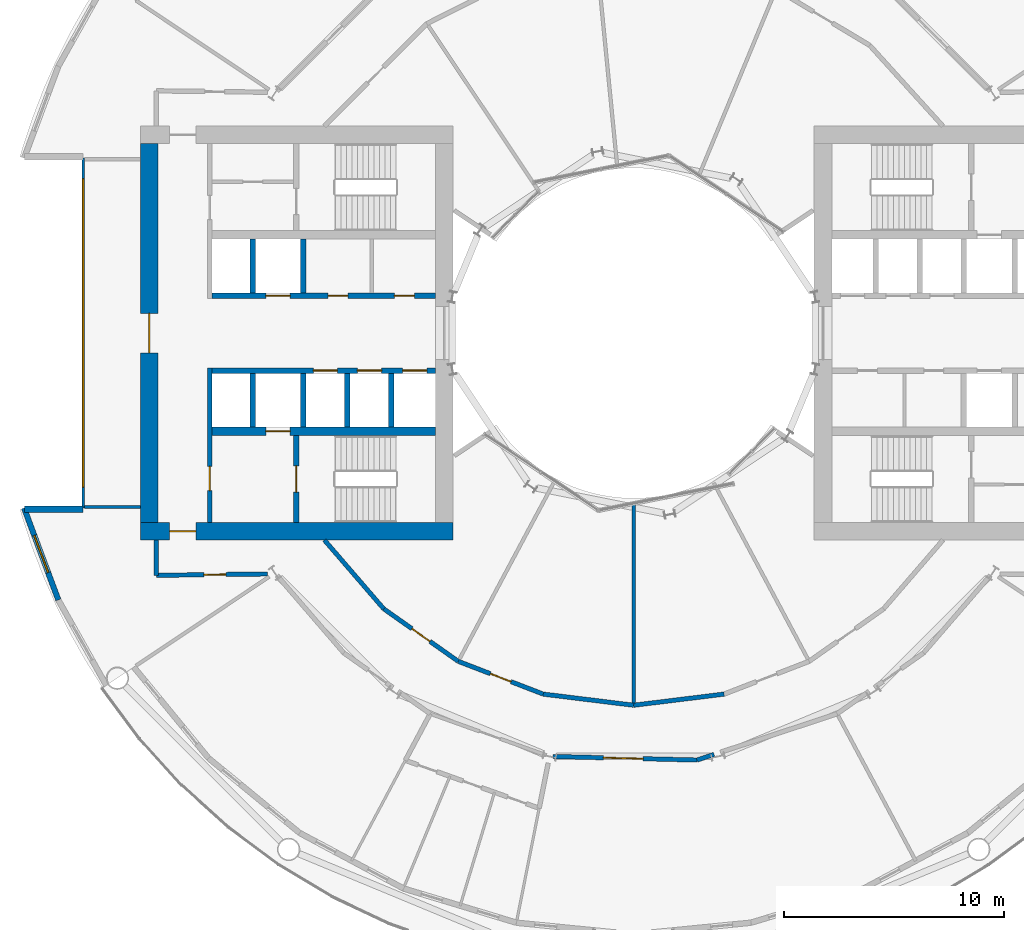
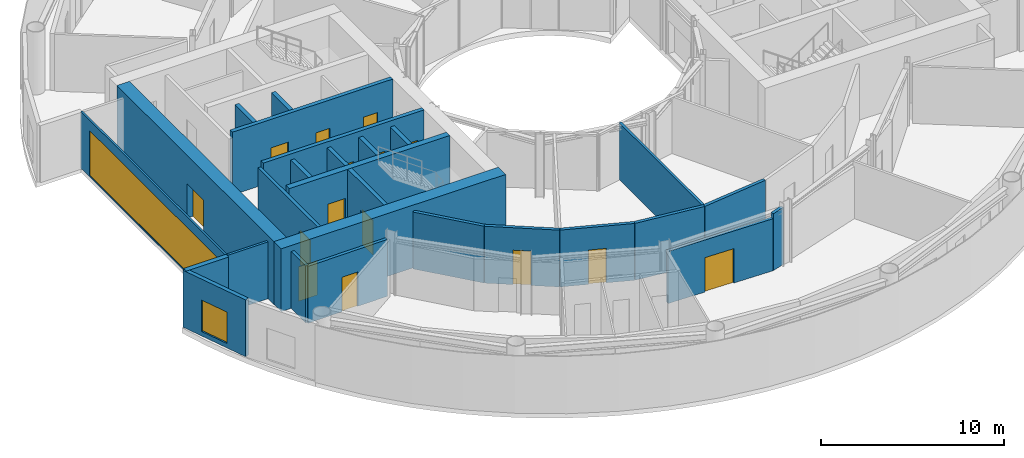
# One storey, part 11 of 19: 27 walls, 15 doors, 2 windows, 17 openings.
"""IFC4 building model written with IfcOpenShell, lengths in metres."""

from ifc_helpers import new_model, si_unit, direction, frame, frame_2d, origin, place, context, subcontext, project, spatial, rectangle, extrude, material, layer, layer_set, type_object, element, fill, save


model = new_model("IFC4")

# Units and contexts
model_context = context("Model", 3, precision=1e-05, world=origin(), true_north=direction((0.0, 1.0)))
body_context = subcontext(model_context, "Body", "Model", "MODEL_VIEW")
ifc_project = project(units=[si_unit("LENGTHUNIT", "METRE"), si_unit("AREAUNIT", "SQUARE_METRE"), si_unit("VOLUMEUNIT", "CUBIC_METRE"), si_unit("PLANEANGLEUNIT", "RADIAN"), si_unit("MASSUNIT", "GRAM", prefix="KILO")], contexts=[model_context])

# Site, building, storey
site_placement = place(None, origin())
site = spatial("IfcSite", under=ifc_project, at=site_placement, CompositionType="ELEMENT")
building_placement = place(site_placement, origin())
building = spatial("IfcBuilding", under=site, at=building_placement, Name="Maasbend Ring Residences", CompositionType="ELEMENT")
storey_placement = place(building_placement, frame((0.0, 0.0, 53.300048828125)))
storey = spatial("IfcBuildingStorey", under=building, at=storey_placement, Name="L15", CompositionType="ELEMENT", Elevation=53.300048828125)

# Wall, openings, doors
ifc_material_1 = material(Name="Concrete C70/85", Category="concrete")
ifc_layer_1 = layer(ifc_material_1, 0.25)
ifc_layer_set_1 = layer_set([ifc_layer_1], Name="Concrete C70/85")
wall_type_1 = type_object("IfcWallType", Name="CORE WALL 250 C70/85", PredefinedType="SHEAR", material=ifc_layer_set_1)
wall_1_placement = place(storey_placement, frame((-9.0, -1.699951171875, 0.0), z_axis=(0.0, 0.0, 1.0), x_axis=(-1.0, 0.0, 0.0)))
wall_1 = element("IfcWall", 1, at=wall_1_placement, inside=storey, type_object=wall_type_1, Name="L15 core W wall SPN", PredefinedType="SHEAR", context=body_context, shape_type="SweptSolid", body=[
    extrude(rectangle(XDim=10.14990234375, YDim=0.25, at=frame_2d((5.074951171875, 0.0))), origin(), (0.0, 0.0, 1.0), 4.199951171875),
])
opening_1_placement = place(wall_1_placement, frame((0.387451171875, 0.0, 0.0)))
opening_1 = element("IfcOpeningElement", 2, at=opening_1_placement, cuts=wall_1, Name="Opening LD-W1501", PredefinedType="OPENING", context=body_context, shape_type="SweptSolid", body=[
    extrude(rectangle(XDim=1.10009765625, YDim=2.300048828125, at=frame_2d((0.550048828125, 1.14990234375))), frame((0.0, 0.135009765625, 0.0), z_axis=(0.0, -1.0, 0.0), x_axis=(1.0, 0.0, 0.0)), (0.0, 0.0, 1.0), 0.27001953125),
])
opening_2_placement = place(wall_1_placement, frame((2.449951171875, 0.0, 0.0)))
opening_2 = element("IfcOpeningElement", 3, at=opening_2_placement, cuts=wall_1, Name="Opening LD-W1502", PredefinedType="OPENING", context=body_context, shape_type="SweptSolid", body=[
    extrude(rectangle(XDim=1.10009765625, YDim=2.300048828125, at=frame_2d((0.550048828125, 1.14990234375))), frame((0.0, 0.135009765625, 0.0), z_axis=(0.0, -1.0, 0.0), x_axis=(1.0, 0.0, 0.0)), (0.0, 0.0, 1.0), 0.27001953125),
])
opening_3_placement = place(wall_1_placement, frame((4.449951171875, 0.0, 0.0)))
opening_3 = element("IfcOpeningElement", 4, at=opening_3_placement, cuts=wall_1, Name="Opening LD-W1503", PredefinedType="OPENING", context=body_context, shape_type="SweptSolid", body=[
    extrude(rectangle(XDim=1.10009765625, YDim=2.300048828125, at=frame_2d((0.550048828125, 1.14990234375))), frame((0.0, 0.135009765625, 0.0), z_axis=(0.0, -1.0, 0.0), x_axis=(1.0, 0.0, 0.0)), (0.0, 0.0, 1.0), 0.27001953125),
])
ifc_material_2 = material(Name="Stainless steel 316", Category="steel")
door_type_1 = type_object("IfcDoorType", Name="LANDING DOOR 1100 X 2300 FD60", OperationType="DOUBLE_DOOR_SLIDING", PredefinedType="DOOR", material=ifc_material_2)
door_1_placement = place(opening_1_placement, origin())
door_1 = element("IfcDoor", 5, at=door_1_placement, inside=storey, type_object=door_type_1, Name="Landing door LR-W1 L15", OperationType="DOUBLE_DOOR_SLIDING", OverallHeight=2.300048828125, OverallWidth=1.10009765625, PredefinedType="DOOR", context=body_context, shape_type="SweptSolid", body=[
    extrude(rectangle(XDim=1.10009765625, YDim=2.300048828125, at=frame_2d((0.550048828125, 1.14990234375))), frame((0.0, 0.02490234375, 0.0), z_axis=(0.0, -1.0, 0.0), x_axis=(1.0, 0.0, 0.0)), (0.0, 0.0, 1.0), 0.050048828125),
])
fill(opening_1, door_1)
door_2_placement = place(opening_2_placement, origin())
door_2 = element("IfcDoor", 6, at=door_2_placement, inside=storey, type_object=door_type_1, Name="Landing door LR-W2 L15", OperationType="DOUBLE_DOOR_SLIDING", OverallHeight=2.300048828125, OverallWidth=1.10009765625, PredefinedType="DOOR", context=body_context, shape_type="SweptSolid", body=[
    extrude(rectangle(XDim=1.10009765625, YDim=2.300048828125, at=frame_2d((0.550048828125, 1.14990234375))), frame((0.0, 0.02490234375, 0.0), z_axis=(0.0, -1.0, 0.0), x_axis=(1.0, 0.0, 0.0)), (0.0, 0.0, 1.0), 0.050048828125),
])
fill(opening_2, door_2)
door_3_placement = place(opening_3_placement, origin())
door_3 = element("IfcDoor", 7, at=door_3_placement, inside=storey, type_object=door_type_1, Name="Landing door LR-W3 L15", OperationType="DOUBLE_DOOR_SLIDING", OverallHeight=2.300048828125, OverallWidth=1.10009765625, PredefinedType="DOOR", context=body_context, shape_type="SweptSolid", body=[
    extrude(rectangle(XDim=1.10009765625, YDim=2.300048828125, at=frame_2d((0.550048828125, 1.14990234375))), frame((0.0, 0.02490234375, 0.0), z_axis=(0.0, -1.0, 0.0), x_axis=(1.0, 0.0, 0.0)), (0.0, 0.0, 1.0), 0.050048828125),
])
fill(opening_3, door_3)

# Wall, opening, door
wall_2_placement = place(storey_placement, frame((-15.324951171875, -4.64990234375, 0.0), z_axis=(0.0, 0.0, 1.0), x_axis=(0.0, -1.0, 0.0)))
wall_2 = element("IfcWall", 8, at=wall_2_placement, inside=storey, type_object=wall_type_1, Name="L15 core W wall STEN", PredefinedType="SHEAR", context=body_context, shape_type="SweptSolid", body=[
    extrude(rectangle(XDim=3.9501953125, YDim=0.25, at=frame_2d((1.97509765625, 0.0))), origin(), (0.0, 0.0, 1.0), 4.199951171875),
])
opening_4_placement = place(wall_2_placement, frame((1.375, 0.0, 0.0)))
opening_4 = element("IfcOpeningElement", 9, at=opening_4_placement, cuts=wall_2, Name="Opening D-W1509", PredefinedType="OPENING", context=body_context, shape_type="SweptSolid", body=[
    extrude(rectangle(XDim=1.199951171875, YDim=2.300048828125, at=frame_2d((0.60009765625, 1.14990234375))), frame((0.0, 0.135009765625, 0.0), z_axis=(0.0, -1.0, 0.0), x_axis=(1.0, 0.0, 0.0)), (0.0, 0.0, 1.0), 0.27001953125),
])
ifc_material_3 = material(Name="Steel, powder coated", Category="steel")
door_type_2 = type_object("IfcDoorType", Name="STAIR DOOR 1200 X 2300 FD60", OperationType="NOTDEFINED", PredefinedType="DOOR", material=ifc_material_3)
door_4_placement = place(opening_4_placement, origin())
door_4 = element("IfcDoor", 10, at=door_4_placement, inside=storey, type_object=door_type_2, Name="Stair door ST-W L15", OperationType="SINGLE_SWING_LEFT", OverallHeight=2.300048828125, OverallWidth=1.199951171875, PredefinedType="DOOR", context=body_context, shape_type="SweptSolid", body=[
    extrude(rectangle(XDim=1.199951171875, YDim=2.300048828125, at=frame_2d((0.60009765625, 1.14990234375))), frame((0.0, 0.02490234375, 0.0), z_axis=(0.0, -1.0, 0.0), x_axis=(1.0, 0.0, 0.0)), (0.0, 0.0, 1.0), 0.050048828125),
])
fill(opening_4, door_4)

# Wall, openings, doors
wall_3_placement = place(storey_placement, frame((-19.14990234375, 1.699951171875, 0.0), z_axis=(0.0, 0.0, 1.0), x_axis=(1.0, 0.0, 0.0)))
wall_3 = element("IfcWall", 11, at=wall_3_placement, inside=storey, type_object=wall_type_1, Name="L15 core W wall SPS", PredefinedType="SHEAR", context=body_context, shape_type="SweptSolid", body=[
    extrude(rectangle(XDim=10.14990234375, YDim=0.25, at=frame_2d((5.074951171875, 0.0))), origin(), (0.0, 0.0, 1.0), 4.199951171875),
])
opening_5_placement = place(wall_3_placement, frame((2.449951171875, 0.0, 0.0)))
opening_5 = element("IfcOpeningElement", 12, at=opening_5_placement, cuts=wall_3, Name="Opening LD-W1505", PredefinedType="OPENING", context=body_context, shape_type="SweptSolid", body=[
    extrude(rectangle(XDim=1.10009765625, YDim=2.300048828125, at=frame_2d((0.550048828125, 1.14990234375))), frame((0.0, 0.135009765625, 0.0), z_axis=(0.0, -1.0, 0.0), x_axis=(1.0, 0.0, 0.0)), (0.0, 0.0, 1.0), 0.27001953125),
])
opening_6_placement = place(wall_3_placement, frame((8.28759765625, 0.0, 0.0)))
opening_6 = element("IfcOpeningElement", 13, at=opening_6_placement, cuts=wall_3, Name="Opening D-W1506", PredefinedType="OPENING", context=body_context, shape_type="SweptSolid", body=[
    extrude(rectangle(XDim=0.89990234375, YDim=2.300048828125, at=frame_2d((0.449951171875, 1.14990234375))), frame((0.0, 0.135009765625, 0.0), z_axis=(0.0, -1.0, 0.0), x_axis=(1.0, 0.0, 0.0)), (0.0, 0.0, 1.0), 0.27001953125),
])
opening_7_placement = place(wall_3_placement, frame((5.27490234375, 0.0, 0.0)))
opening_7 = element("IfcOpeningElement", 14, at=opening_7_placement, cuts=wall_3, Name="Opening D-W1507", PredefinedType="OPENING", context=body_context, shape_type="SweptSolid", body=[
    extrude(rectangle(XDim=0.89990234375, YDim=2.300048828125, at=frame_2d((0.449951171875, 1.14990234375))), frame((0.0, 0.135009765625, 0.0), z_axis=(0.0, -1.0, 0.0), x_axis=(1.0, 0.0, 0.0)), (0.0, 0.0, 1.0), 0.27001953125),
])
door_5_placement = place(opening_5_placement, origin())
door_5 = element("IfcDoor", 15, at=door_5_placement, inside=storey, type_object=door_type_1, Name="Landing door SV-W L15", OperationType="DOUBLE_DOOR_SLIDING", OverallHeight=2.300048828125, OverallWidth=1.10009765625, PredefinedType="DOOR", context=body_context, shape_type="SweptSolid", body=[
    extrude(rectangle(XDim=1.10009765625, YDim=2.300048828125, at=frame_2d((0.550048828125, 1.14990234375))), frame((0.0, 0.02490234375, 0.0), z_axis=(0.0, -1.0, 0.0), x_axis=(1.0, 0.0, 0.0)), (0.0, 0.0, 1.0), 0.050048828125),
])
fill(opening_5, door_5)
ifc_material_4 = material(Name="Steel, powder coated", Category="steel")
door_type_3 = type_object("IfcDoorType", Name="ROOM DOOR 900 X 2300 FD30S", OperationType="NOTDEFINED", PredefinedType="DOOR", material=ifc_material_4)
door_6_placement = place(opening_6_placement, origin())
door_6 = element("IfcDoor", 16, at=door_6_placement, inside=storey, type_object=door_type_3, Name="Room door L15", OperationType="SINGLE_SWING_LEFT", OverallHeight=2.300048828125, OverallWidth=0.89990234375, PredefinedType="DOOR", context=body_context, shape_type="SweptSolid", body=[
    extrude(rectangle(XDim=0.89990234375, YDim=2.300048828125, at=frame_2d((0.449951171875, 1.14990234375))), frame((0.0, 0.02490234375, 0.0), z_axis=(0.0, -1.0, 0.0), x_axis=(1.0, 0.0, 0.0)), (0.0, 0.0, 1.0), 0.050048828125),
])
fill(opening_6, door_6)
door_7_placement = place(opening_7_placement, origin())
door_7 = element("IfcDoor", 17, at=door_7_placement, inside=storey, type_object=door_type_3, Name="Room door L15", OperationType="SINGLE_SWING_LEFT", OverallHeight=2.300048828125, OverallWidth=0.89990234375, PredefinedType="DOOR", context=body_context, shape_type="SweptSolid", body=[
    extrude(rectangle(XDim=0.89990234375, YDim=2.300048828125, at=frame_2d((0.449951171875, 1.14990234375))), frame((0.0, 0.02490234375, 0.0), z_axis=(0.0, -1.0, 0.0), x_axis=(1.0, 0.0, 0.0)), (0.0, 0.0, 1.0), 0.050048828125),
])
fill(opening_7, door_7)

# Wall, opening, door
ifc_material_5 = material(Name="Concrete C70/85", Category="concrete")
ifc_layer_2 = layer(ifc_material_5, 0.375)
ifc_layer_set_2 = layer_set([ifc_layer_2], Name="Concrete C70/85")
wall_type_2 = type_object("IfcWallType", Name="CORE WALL 375 C70/85", PredefinedType="SHEAR", material=ifc_layer_set_2)
wall_4_placement = place(storey_placement, frame((-9.0, -4.46240234375, 0.0), z_axis=(0.0, 0.0, 1.0), x_axis=(-1.0, 0.0, 0.0)))
wall_4 = element("IfcWall", 18, at=wall_4_placement, inside=storey, type_object=wall_type_2, Name="L15 core W wall BN", PredefinedType="SHEAR", context=body_context, shape_type="SweptSolid", body=[
    extrude(rectangle(XDim=10.14990234375, YDim=0.375, at=frame_2d((5.074951171875, 0.0))), origin(), (0.0, 0.0, 1.0), 4.199951171875),
])
opening_8_placement = place(wall_4_placement, frame((6.60009765625, 0.0, 0.0)))
opening_8 = element("IfcOpeningElement", 19, at=opening_8_placement, cuts=wall_4, Name="Opening LD-W1504", PredefinedType="OPENING", context=body_context, shape_type="SweptSolid", body=[
    extrude(rectangle(XDim=1.10009765625, YDim=2.300048828125, at=frame_2d((0.550048828125, 1.14990234375))), frame((0.0, 0.197509765625, 0.0), z_axis=(0.0, -1.0, 0.0), x_axis=(1.0, 0.0, 0.0)), (0.0, 0.0, 1.0), 0.39501953125),
])
door_8_placement = place(opening_8_placement, origin())
door_8 = element("IfcDoor", 20, at=door_8_placement, inside=storey, type_object=door_type_1, Name="Landing door FF-W L15", OperationType="DOUBLE_DOOR_SLIDING", OverallHeight=2.300048828125, OverallWidth=1.10009765625, PredefinedType="DOOR", context=body_context, shape_type="SweptSolid", body=[
    extrude(rectangle(XDim=1.10009765625, YDim=2.300048828125, at=frame_2d((0.550048828125, 1.14990234375))), frame((0.0, 0.02490234375, 0.0), z_axis=(0.0, -1.0, 0.0), x_axis=(1.0, 0.0, 0.0)), (0.0, 0.0, 1.0), 0.050048828125),
])
fill(opening_8, door_8)

ifc_material_6 = material(Name="Concrete C70/85", Category="concrete")
ifc_layer_3 = layer(ifc_material_6, 0.800048828125)
ifc_layer_set_3 = layer_set([ifc_layer_3], Name="Concrete C70/85")
wall_type_3 = type_object("IfcWallType", Name="CORE WALL 800 C70/85", PredefinedType="SHEAR", material=ifc_layer_set_3)
wall_5_placement = place(storey_placement, frame((-22.39990234375, -9.0, 0.0), z_axis=(0.0, 0.0, 1.0), x_axis=(1.0, 0.0, 0.0)))
wall_5 = element("IfcWall", 21, at=wall_5_placement, inside=storey, type_object=wall_type_3, Name="L15 core W wall PN", PredefinedType="SHEAR", context=body_context, shape_type="SweptSolid", body=[
    extrude(rectangle(XDim=14.199951171875, YDim=0.800048828125, at=frame_2d((7.10009765625, 0.0))), origin(), (0.0, 0.0, 1.0), 4.199951171875),
])
opening_9_placement = place(wall_5_placement, frame((1.324951171875, 0.0, 0.0)))
opening_9 = element("IfcOpeningElement", 22, at=opening_9_placement, cuts=wall_5, Name="Opening D-W1513", PredefinedType="OPENING", context=body_context, shape_type="SweptSolid", body=[
    extrude(rectangle(XDim=1.199951171875, YDim=2.300048828125, at=frame_2d((0.60009765625, 1.14990234375))), frame((0.0, 0.41015625, 0.0), z_axis=(0.0, -1.0, 0.0), x_axis=(1.0, 0.0, 0.0)), (0.0, 0.0, 1.0), 0.820068359375),
])
ifc_material_7 = material(Name="Steel, powder coated", Category="steel")
door_type_4 = type_object("IfcDoorType", Name="CORRIDOR DOOR 1200 X 2300 FD30S", OperationType="NOTDEFINED", PredefinedType="DOOR", material=ifc_material_7)
door_9_placement = place(opening_9_placement, origin())
door_9 = element("IfcDoor", 23, at=door_9_placement, inside=storey, type_object=door_type_4, Name="Corridor door L15", OperationType="SINGLE_SWING_RIGHT", OverallHeight=2.300048828125, OverallWidth=1.199951171875, PredefinedType="DOOR", context=body_context, shape_type="SweptSolid", body=[
    extrude(rectangle(XDim=1.199951171875, YDim=2.300048828125, at=frame_2d((0.60009765625, 1.14990234375))), frame((0.0, 0.02490234375, 0.0), z_axis=(0.0, -1.0, 0.0), x_axis=(1.0, 0.0, 0.0)), (0.0, 0.0, 1.0), 0.050048828125),
])
fill(opening_9, door_9)

wall_6_placement = place(storey_placement, frame((-22.0, -8.60009765625, 0.0), z_axis=(0.0, 0.0, 1.0), x_axis=(0.0, 1.0, 0.0)))
wall_6 = element("IfcWall", 24, at=wall_6_placement, inside=storey, type_object=wall_type_3, Name="L15 core W wall POUT", PredefinedType="SHEAR", context=body_context, shape_type="SweptSolid", body=[
    extrude(rectangle(XDim=17.2001953125, YDim=0.800048828125, at=frame_2d((8.60009765625, 0.0))), origin(), (0.0, 0.0, 1.0), 4.199951171875),
])
opening_10_placement = place(wall_6_placement, frame((7.699951171875, 0.0, 0.0)))
opening_10 = element("IfcOpeningElement", 25, at=opening_10_placement, cuts=wall_6, Name="Opening D-W1515", PredefinedType="OPENING", context=body_context, shape_type="SweptSolid", body=[
    extrude(rectangle(XDim=1.800048828125, YDim=2.300048828125, at=frame_2d((0.89990234375, 1.14990234375))), frame((0.0, 0.41015625, 0.0), z_axis=(0.0, -1.0, 0.0), x_axis=(1.0, 0.0, 0.0)), (0.0, 0.0, 1.0), 0.820068359375),
])
ifc_material_8 = material(Name="Aluminium frame, clear glass", Category="aluminium")
door_type_5 = type_object("IfcDoorType", Name="ENTRANCE DOOR 1800 X 2300 FD60", OperationType="NOTDEFINED", PredefinedType="DOOR", material=ifc_material_8)
door_10_placement = place(opening_10_placement, origin())
door_10 = element("IfcDoor", 26, at=door_10_placement, inside=storey, type_object=door_type_5, Name="Lobby glazed door L15", OperationType="SINGLE_SWING_LEFT", OverallHeight=2.300048828125, OverallWidth=1.800048828125, PredefinedType="DOOR", context=body_context, shape_type="SweptSolid", body=[
    extrude(rectangle(XDim=1.800048828125, YDim=2.300048828125, at=frame_2d((0.89990234375, 1.14990234375))), frame((0.0, 0.02490234375, 0.0), z_axis=(0.0, -1.0, 0.0), x_axis=(1.0, 0.0, 0.0)), (0.0, 0.0, 1.0), 0.050048828125),
])
fill(opening_10, door_10)

ifc_material_9 = material(Name="Concrete C30/37", Category="concrete")
ifc_layer_4 = layer(ifc_material_9, 0.199951171875)
ifc_layer_set_4 = layer_set([ifc_layer_4], Name="Concrete C30/37")
wall_type_4 = type_object("IfcWallType", Name="CORRIDOR WALL 200 CONCRETE", PredefinedType="PARTITIONING", material=ifc_layer_set_4)
wall_7_placement = place(storey_placement, frame((-3.6689453125, -19.22705078125, 0.0), z_axis=(0.0, 0.0, 1.0), x_axis=(0.999697994237, -0.024574790294, 0.0)))
wall_7 = element("IfcWall", 27, at=wall_7_placement, inside=storey, type_object=wall_type_4, Name="U-L15-w011", PredefinedType="PARTITIONING", context=body_context, shape_type="SweptSolid", body=[
    extrude(rectangle(XDim=6.546875, YDim=0.199951171875, at=frame_2d((3.2734375, 0.0))), origin(), (0.0, 0.0, 1.0), 3.47998046875),
])
opening_11_placement = place(wall_7_placement, frame((2.2958984375, 0.0, 0.0)))
opening_11 = element("IfcOpeningElement", 28, at=opening_11_placement, cuts=wall_7, Name="Opening D-1517", PredefinedType="OPENING", context=body_context, shape_type="SweptSolid", body=[
    extrude(rectangle(XDim=1.800048828125, YDim=2.300048828125, at=frame_2d((0.89990234375, 1.14990234375))), frame((0.0, 0.10986328125, 0.0), z_axis=(0.0, -1.0, 0.0), x_axis=(1.0, 0.0, 0.0)), (0.0, 0.0, 1.0), 0.219970703125),
])
ifc_material_10 = material(Name="Timber, painted", Category="wood")
door_type_6 = type_object("IfcDoorType", Name="DOUBLE DOOR 1800 X 2300", OperationType="NOTDEFINED", PredefinedType="DOOR", material=ifc_material_10)
door_11_placement = place(opening_11_placement, origin())
door_11 = element("IfcDoor", 29, at=door_11_placement, inside=storey, type_object=door_type_6, Name="D-1517", OperationType="DOUBLE_DOOR_SINGLE_SWING", OverallHeight=2.300048828125, OverallWidth=1.800048828125, PredefinedType="DOOR", context=body_context, shape_type="SweptSolid", body=[
    extrude(rectangle(XDim=1.800048828125, YDim=2.300048828125, at=frame_2d((0.89990234375, 1.14990234375))), frame((0.0, 0.02490234375, 0.0), z_axis=(0.0, -1.0, 0.0), x_axis=(1.0, 0.0, 0.0)), (0.0, 0.0, 1.0), 0.050048828125),
])
fill(opening_11, door_11)

# Walls
wall_8_placement = place(storey_placement, frame((2.8759765625, -19.387939453125, 0.0), z_axis=(0.0, 0.0, 1.0), x_axis=(0.949459157713, 0.313890598512, 0.0)))
element("IfcWall", 30, at=wall_8_placement, inside=storey, type_object=wall_type_4, Name="U-L15-w012", PredefinedType="PARTITIONING", context=body_context, shape_type="SweptSolid", body=[
    extrude(rectangle(XDim=0.815185546875, YDim=0.199951171875, at=frame_2d((0.40771484375, 0.0))), origin(), (0.0, 0.0, 1.0), 3.800048828125),
])
wall_9_placement = place(storey_placement, frame((-14.04296875, -9.39990234375, 0.0), z_axis=(0.0, 0.0, 1.0), x_axis=(0.653274518104, -0.757121129012, 0.0)))
element("IfcWall", 31, at=wall_9_placement, inside=storey, type_object=wall_type_4, Name="U-L15-w014", PredefinedType="PARTITIONING", context=body_context, shape_type="SweptSolid", body=[
    extrude(rectangle(XDim=4.12353515625, YDim=0.199951171875, at=frame_2d((2.061767578125, 0.0))), origin(), (0.0, 0.0, 1.0), 3.800048828125),
])

# Wall, opening, door
wall_10_placement = place(storey_placement, frame((-11.34912109375, -12.52197265625, 0.0), z_axis=(0.0, 0.0, 1.0), x_axis=(0.817567680547, -0.575832517079, 0.0)))
wall_10 = element("IfcWall", 32, at=wall_10_placement, inside=storey, type_object=wall_type_4, Name="U-L15-w015", PredefinedType="PARTITIONING", context=body_context, shape_type="SweptSolid", body=[
    extrude(rectangle(XDim=4.13671875, YDim=0.199951171875, at=frame_2d((2.068359375, 0.0))), origin(), (0.0, 0.0, 1.0), 3.800048828125),
])
opening_12_placement = place(wall_10_placement, frame((1.568115234375, 0.0, 0.0)))
opening_12 = element("IfcOpeningElement", 33, at=opening_12_placement, cuts=wall_10, Name="Opening D-1519", PredefinedType="OPENING", context=body_context, shape_type="SweptSolid", body=[
    extrude(rectangle(XDim=1.0, YDim=2.300048828125, at=frame_2d((0.5, 1.14990234375))), frame((0.0, 0.10986328125, 0.0), z_axis=(0.0, -1.0, 0.0), x_axis=(1.0, 0.0, 0.0)), (0.0, 0.0, 1.0), 0.219970703125),
])
ifc_material_11 = material(Name="Timber, painted", Category="wood")
door_type_7 = type_object("IfcDoorType", Name="ROOM DOOR 1000 X 2300", OperationType="NOTDEFINED", PredefinedType="DOOR", material=ifc_material_11)
door_12_placement = place(opening_12_placement, origin())
door_12 = element("IfcDoor", 34, at=door_12_placement, inside=storey, type_object=door_type_7, Name="D-1519", OperationType="SINGLE_SWING_RIGHT", OverallHeight=2.300048828125, OverallWidth=1.0, PredefinedType="DOOR", context=body_context, shape_type="SweptSolid", body=[
    extrude(rectangle(XDim=1.0, YDim=2.300048828125, at=frame_2d((0.5, 1.14990234375))), frame((0.0, 0.02490234375, 0.0), z_axis=(0.0, -1.0, 0.0), x_axis=(1.0, 0.0, 0.0)), (0.0, 0.0, 1.0), 0.050048828125),
])
fill(opening_12, door_12)

wall_11_placement = place(storey_placement, frame((-7.967041015625, -14.904052734375, 0.0), z_axis=(0.0, 0.0, 1.0), x_axis=(0.932943640288, -0.360022449363, 0.0)))
wall_11 = element("IfcWall", 35, at=wall_11_placement, inside=storey, type_object=wall_type_4, Name="U-L15-w016", PredefinedType="PARTITIONING", context=body_context, shape_type="SweptSolid", body=[
    extrude(rectangle(XDim=4.138671875, YDim=0.199951171875, at=frame_2d((2.0693359375, 0.0))), origin(), (0.0, 0.0, 1.0), 3.800048828125),
])
opening_13_placement = place(wall_11_placement, frame((1.569091796875, 0.0, 0.0)))
opening_13 = element("IfcOpeningElement", 36, at=opening_13_placement, cuts=wall_11, Name="Opening D-1520", PredefinedType="OPENING", context=body_context, shape_type="SweptSolid", body=[
    extrude(rectangle(XDim=1.0, YDim=2.300048828125, at=frame_2d((0.5, 1.14990234375))), frame((0.0, 0.10986328125, 0.0), z_axis=(0.0, -1.0, 0.0), x_axis=(1.0, 0.0, 0.0)), (0.0, 0.0, 1.0), 0.219970703125),
])
door_13_placement = place(opening_13_placement, origin())
door_13 = element("IfcDoor", 37, at=door_13_placement, inside=storey, type_object=door_type_7, Name="D-1520", OperationType="SINGLE_SWING_LEFT", OverallHeight=2.300048828125, OverallWidth=1.0, PredefinedType="DOOR", context=body_context, shape_type="SweptSolid", body=[
    extrude(rectangle(XDim=1.0, YDim=2.300048828125, at=frame_2d((0.5, 1.14990234375))), frame((0.0, 0.02490234375, 0.0), z_axis=(0.0, -1.0, 0.0), x_axis=(1.0, 0.0, 0.0)), (0.0, 0.0, 1.0), 0.050048828125),
])
fill(opening_13, door_13)

# Walls
for number, where, z_axis, x_axis, name in (
    (38, (-4.10595703125, -16.39404296875, 0.0), (0.0, 0.0, 1.0), (0.992496033272, -0.122276833211, 0.0), "U-L15-w017"),
    (39, (0.0, -16.89990234375, 0.0), (0.0, 0.0, 1.0), (0.992496033272, 0.122276833211, 0.0), "U-L15-w018"),
):
    element("IfcWall", number, at=place(storey_placement, frame(where, z_axis=z_axis, x_axis=x_axis)), inside=storey, type_object=wall_type_4, Name=name, PredefinedType="PARTITIONING", context=body_context, shape_type="SweptSolid", body=[
        extrude(rectangle(XDim=4.136962890625, YDim=0.199951171875, at=frame_2d((2.068359375, 0.0))), origin(), (0.0, 0.0, 1.0), 3.800048828125),
    ])

# Wall, opening, door
wall_12_placement = place(storey_placement, frame((-21.675048828125, -11.0, 0.0), z_axis=(0.0, 0.0, 1.0), x_axis=(0.99992425795, 0.012307654658, 0.0)))
wall_12 = element("IfcWall", 40, at=wall_12_placement, inside=storey, type_object=wall_type_4, Name="U-L15-w022", PredefinedType="PARTITIONING", context=body_context, shape_type="SweptSolid", body=[
    extrude(rectangle(XDim=5.03857421875, YDim=0.199951171875, at=frame_2d((2.519287109375, 0.0))), origin(), (0.0, 0.0, 1.0), 3.800048828125),
])
opening_14_placement = place(wall_12_placement, frame((2.155029296875, 0.0, 0.0)))
opening_14 = element("IfcOpeningElement", 41, at=opening_14_placement, cuts=wall_12, Name="Opening D-1523", PredefinedType="OPENING", context=body_context, shape_type="SweptSolid", body=[
    extrude(rectangle(XDim=1.0, YDim=2.300048828125, at=frame_2d((0.5, 1.14990234375))), frame((0.0, 0.10986328125, 0.0), z_axis=(0.0, -1.0, 0.0), x_axis=(1.0, 0.0, 0.0)), (0.0, 0.0, 1.0), 0.219970703125),
])
door_14_placement = place(opening_14_placement, origin())
door_14 = element("IfcDoor", 42, at=door_14_placement, inside=storey, type_object=door_type_7, Name="D-1523", OperationType="SINGLE_SWING_RIGHT", OverallHeight=2.300048828125, OverallWidth=1.0, PredefinedType="DOOR", context=body_context, shape_type="SweptSolid", body=[
    extrude(rectangle(XDim=1.0, YDim=2.300048828125, at=frame_2d((0.5, 1.14990234375))), frame((0.0, 0.02490234375, 0.0), z_axis=(0.0, -1.0, 0.0), x_axis=(1.0, 0.0, 0.0)), (0.0, 0.0, 1.0), 0.050048828125),
])
fill(opening_14, door_14)

# Wall
wall_13_placement = place(storey_placement, frame((-21.675048828125, -11.0, 0.0), z_axis=(0.0, 0.0, 1.0), x_axis=(0.0, 1.0, 0.0)))
element("IfcWall", 43, at=wall_13_placement, inside=storey, type_object=wall_type_4, Name="U-L15-w068", PredefinedType="PARTITIONING", context=body_context, shape_type="SweptSolid", body=[
    extrude(rectangle(XDim=1.60009765625, YDim=0.199951171875, at=frame_2d((0.800048828125, 0.0))), origin(), (0.0, 0.0, 1.0), 3.800048828125),
])

# Wall, opening, window
ifc_material_12 = material(Name="Aluminium clad insulated panel", Category="aluminium")
ifc_layer_5 = layer(ifc_material_12, 0.25)
ifc_layer_set_5 = layer_set([ifc_layer_5], Name="EW-HORN")
wall_type_5 = type_object("IfcWallType", Name="EW-HORN", PredefinedType="SOLIDWALL", material=ifc_layer_set_5)
wall_14_placement = place(storey_placement, frame((-27.681884765625, -7.945068359375, 0.0), z_axis=(0.0, 0.0, 1.0), x_axis=(0.349247811493, -0.937030397675, 0.0)))
wall_14 = element("IfcWall", 44, at=wall_14_placement, inside=storey, type_object=wall_type_5, Name="Horn wall 3.1", PredefinedType="SOLIDWALL", context=body_context, shape_type="SweptSolid", body=[
    extrude(rectangle(XDim=4.4521484375, YDim=0.25, at=frame_2d((2.22607421875, 0.0))), origin(), (0.0, 0.0, 1.0), 3.800048828125),
])
opening_15_placement = place(wall_14_placement, frame((1.32666015625, 0.0, 0.300048828125)))
opening_15 = element("IfcOpeningElement", 45, at=opening_15_placement, cuts=wall_14, Name="Opening W-BX", PredefinedType="OPENING", context=body_context, shape_type="SweptSolid", body=[
    extrude(rectangle(XDim=1.800048828125, YDim=2.10009765625, at=frame_2d((0.89990234375, 1.050048828125))), frame((0.0, 0.135009765625, 0.0), z_axis=(0.0, -1.0, 0.0), x_axis=(1.0, 0.0, 0.0)), (0.0, 0.0, 1.0), 0.27001953125),
])
ifc_material_13 = material(Name="Aluminium and clear glass", Category="aluminium")
window_type_1 = type_object("IfcWindowType", Name="W-BX", PartitioningType="DOUBLE_PANEL_VERTICAL", PredefinedType="WINDOW", material=ifc_material_13)
window_1_placement = place(opening_15_placement, origin())
window_1 = element("IfcWindow", 46, at=window_1_placement, inside=storey, type_object=window_type_1, Name="Horn window 3.1", OverallHeight=2.10009765625, OverallWidth=1.800048828125, PartitioningType="SINGLE_PANEL", PredefinedType="WINDOW", context=body_context, shape_type="SweptSolid", body=[
    extrude(rectangle(XDim=1.800048828125, YDim=2.10009765625, at=frame_2d((0.89990234375, 1.050048828125))), frame((0.0, 0.030029296875, 0.0), z_axis=(0.0, -1.0, 0.0), x_axis=(1.0, 0.0, 0.0)), (0.0, 0.0, 1.0), 0.06005859375),
])
fill(opening_15, window_1)

# Wall
ifc_material_14 = material(Name="Aluminium clad insulated panel", Category="aluminium")
ifc_layer_6 = layer(ifc_material_14, 0.300048828125)
ifc_layer_set_6 = layer_set([ifc_layer_6], Name="EW-RET")
wall_type_6 = type_object("IfcWallType", Name="EW-RET", PredefinedType="SOLIDWALL", material=ifc_layer_set_6)
wall_15_placement = place(storey_placement, frame((-25.0, -8.0, 0.0), z_axis=(0.0, 0.0, 1.0), x_axis=(-1.0, 0.0, 0.0)))
element("IfcWall", 47, at=wall_15_placement, inside=storey, type_object=wall_type_6, Name="Notch return wall west south", PredefinedType="SOLIDWALL", context=body_context, shape_type="SweptSolid", body=[
    extrude(rectangle(XDim=2.6669921875, YDim=0.300048828125, at=frame_2d((1.33349609375, 0.0))), origin(), (0.0, 0.0, 1.0), 3.800048828125),
])

# Wall, opening, window
ifc_material_15 = material(Name="Aluminium frame and clear glass", Category="aluminium")
ifc_layer_7 = layer(ifc_material_15, 0.1201171875)
ifc_layer_set_7 = layer_set([ifc_layer_7], Name="GLAZED SCREEN WALL 120 EI 60")
wall_type_7 = type_object("IfcWallType", Name="GLAZED SCREEN WALL 120 EI 60", PredefinedType="PARTITIONING", material=ifc_layer_set_7)
wall_16_placement = place(storey_placement, frame((-25.0, 7.949951171875, 0.0), z_axis=(0.0, 0.0, 1.0), x_axis=(0.0, -1.0, 0.0)))
wall_16 = element("IfcWall", 48, at=wall_16_placement, inside=storey, type_object=wall_type_7, Name="L15 core W wall FACE", PredefinedType="PARTITIONING", context=body_context, shape_type="SweptSolid", body=[
    extrude(rectangle(XDim=15.89990234375, YDim=0.1201171875, at=frame_2d((7.949951171875, 0.0))), origin(), (0.0, 0.0, 1.0), 3.800048828125),
])
opening_16_placement = place(wall_16_placement, frame((0.949951171875, 0.0, 0.10009765625)))
opening_16 = element("IfcOpeningElement", 49, at=opening_16_placement, cuts=wall_16, Name="Opening W-W1502", PredefinedType="OPENING", context=body_context, shape_type="SweptSolid", body=[
    extrude(rectangle(XDim=14.0, YDim=3.0, at=frame_2d((7.0, 1.5))), frame((0.0, 0.070068359375, 0.0), z_axis=(0.0, -1.0, 0.0), x_axis=(1.0, 0.0, 0.0)), (0.0, 0.0, 1.0), 0.14013671875),
])
ifc_material_16 = material(Name="Aluminium frame and clear glass", Category="aluminium")
window_type_2 = type_object("IfcWindowType", Name="FIXED WINDOW 14000 X 3000", PartitioningType="SINGLE_PANEL", PredefinedType="WINDOW", material=ifc_material_16)
window_2_placement = place(opening_16_placement, origin())
window_2 = element("IfcWindow", 50, at=window_2_placement, inside=storey, type_object=window_type_2, Name="Lobby window L15", OverallHeight=3.0, OverallWidth=14.0, PartitioningType="SINGLE_PANEL", PredefinedType="WINDOW", context=body_context, shape_type="SweptSolid", body=[
    extrude(rectangle(XDim=14.0, YDim=3.0, at=frame_2d((7.0, 1.5))), frame((0.0, 0.030029296875, 0.0), z_axis=(0.0, -1.0, 0.0), x_axis=(1.0, 0.0, 0.0)), (0.0, 0.0, 1.0), 0.06005859375),
])
fill(opening_16, window_2)

# Walls
ifc_material_17 = material(Name="Gypsum board on steel studs", Category="steel")
ifc_layer_8 = layer(ifc_material_17, 0.14990234375)
ifc_layer_set_8 = layer_set([ifc_layer_8], Name="PARTITION 150 EI 60")
wall_type_8 = type_object("IfcWallType", Name="PARTITION 150 EI 60", PredefinedType="PARTITIONING", material=ifc_layer_set_8)
wall_17_placement = place(storey_placement, frame((-22.39990234375, -7.89990234375, 0.0), z_axis=(0.0, 0.0, 1.0), x_axis=(-1.0, 0.0, 0.0)))
element("IfcWall", 51, at=wall_17_placement, inside=storey, type_object=wall_type_8, Name="L15 core W wall CITN", PredefinedType="PARTITIONING", context=body_context, shape_type="SweptSolid", body=[
    extrude(rectangle(XDim=2.5400390625, YDim=0.14990234375, at=frame_2d((1.27001953125, 0.0))), origin(), (0.0, 0.0, 1.0), 3.800048828125),
])
ifc_material_18 = material(Name="Gypsum board on steel studs", Category="steel")
ifc_layer_9 = layer(ifc_material_18, 0.14990234375)
ifc_layer_set_9 = layer_set([ifc_layer_9], Name="PARTITION 150 GYPSUM")
wall_type_9 = type_object("IfcWallType", Name="PARTITION 150 GYPSUM", PredefinedType="PARTITIONING", material=ifc_layer_set_9)
wall_18_placement = place(storey_placement, frame((0.0, -16.89990234375, 0.0), z_axis=(0.0, 0.0, 1.0), x_axis=(0.0, 1.0, 0.0)))
element("IfcWall", 52, at=wall_18_placement, inside=storey, type_object=wall_type_9, Name="U-L15-w041", PredefinedType="PARTITIONING", context=body_context, shape_type="SweptSolid", body=[
    extrude(rectangle(XDim=9.179931640625, YDim=0.14990234375, at=frame_2d((4.58984375, 0.0))), origin(), (0.0, 0.0, 1.0), 3.800048828125),
])

# Wall, opening, door
ifc_material_19 = material(Name="Concrete C30/37", Category="concrete")
ifc_layer_10 = layer(ifc_material_19, 0.199951171875)
ifc_layer_set_10 = layer_set([ifc_layer_10], Name="Concrete C30/37")
wall_type_10 = type_object("IfcWallType", Name="SHAFT WALL 200 EI 120", PredefinedType="SOLIDWALL", material=ifc_layer_set_10)
wall_19_placement = place(storey_placement, frame((-19.25, -1.574951171875, 0.0), z_axis=(0.0, 0.0, 1.0), x_axis=(0.0, -1.0, 0.0)))
wall_19 = element("IfcWall", 53, at=wall_19_placement, inside=storey, type_object=wall_type_10, Name="L15 core W wall ENDN", PredefinedType="SOLIDWALL", context=body_context, shape_type="SweptSolid", body=[
    extrude(rectangle(XDim=7.025146484375, YDim=0.199951171875, at=frame_2d((3.5126953125, 0.0))), origin(), (0.0, 0.0, 1.0), 3.800048828125),
])
opening_17_placement = place(wall_19_placement, frame((4.47509765625, 0.0, 0.0)))
opening_17 = element("IfcOpeningElement", 54, at=opening_17_placement, cuts=wall_19, Name="Opening D-W1511", PredefinedType="OPENING", context=body_context, shape_type="SweptSolid", body=[
    extrude(rectangle(XDim=1.10009765625, YDim=2.300048828125, at=frame_2d((0.550048828125, 1.14990234375))), frame((0.0, 0.10986328125, 0.0), z_axis=(0.0, -1.0, 0.0), x_axis=(1.0, 0.0, 0.0)), (0.0, 0.0, 1.0), 0.219970703125),
])
ifc_material_20 = material(Name="Steel, powder coated", Category="steel")
door_type_8 = type_object("IfcDoorType", Name="LOBBY DOOR 1100 X 2300 FD60", OperationType="NOTDEFINED", PredefinedType="DOOR", material=ifc_material_20)
door_15_placement = place(opening_17_placement, origin())
door_15 = element("IfcDoor", 55, at=door_15_placement, inside=storey, type_object=door_type_8, Name="Lobby door L15", OperationType="SINGLE_SWING_LEFT", OverallHeight=2.300048828125, OverallWidth=1.10009765625, PredefinedType="DOOR", context=body_context, shape_type="SweptSolid", body=[
    extrude(rectangle(XDim=1.10009765625, YDim=2.300048828125, at=frame_2d((0.550048828125, 1.14990234375))), frame((0.0, 0.02490234375, 0.0), z_axis=(0.0, -1.0, 0.0), x_axis=(1.0, 0.0, 0.0)), (0.0, 0.0, 1.0), 0.050048828125),
])
fill(opening_17, door_15)

# Walls
ifc_material_21 = material(Name="Concrete C30/37", Category="concrete")
ifc_layer_11 = layer(ifc_material_21, 0.25)
ifc_layer_set_11 = layer_set([ifc_layer_11], Name="Concrete C30/37")
wall_type_11 = type_object("IfcWallType", Name="SHAFT WALL 250 EI 120", PredefinedType="SOLIDWALL", material=ifc_layer_set_11)
for number, where, z_axis, x_axis, name in (
    (56, (-15.0, -1.824951171875, 0.0), (0.0, 0.0, 1.0), (0.0, -1.0, 0.0), "L15 core W wall D150N"),
    (57, (-17.300048828125, -1.824951171875, 0.0), (0.0, 0.0, 1.0), (0.0, -1.0, 0.0), "L15 core W wall D173N"),
    (58, (-15.0, 1.824951171875, 0.0), (0.0, 0.0, 1.0), (0.0, 1.0, 0.0), "L15 core W wall D150S"),
    (59, (-17.300048828125, 1.824951171875, 0.0), (0.0, 0.0, 1.0), (0.0, 1.0, 0.0), "L15 core W wall D173S"),
    (60, (-11.0, -1.824951171875, 0.0), (0.0, 0.0, 1.0), (0.0, -1.0, 0.0), "L15 core W wall D110N"),
    (61, (-13.0, -1.824951171875, 0.0), (0.0, 0.0, 1.0), (0.0, -1.0, 0.0), "L15 core W wall D130N"),
):
    element("IfcWall", number, at=place(storey_placement, frame(where, z_axis=z_axis, x_axis=x_axis)), inside=storey, type_object=wall_type_11, Name=name, PredefinedType="SOLIDWALL", context=body_context, shape_type="SweptSolid", body=[
        extrude(rectangle(XDim=2.449951171875, YDim=0.25, at=frame_2d((1.22509765625, 0.0))), origin(), (0.0, 0.0, 1.0), 3.800048828125),
    ])

save(model, "model.ifc")
